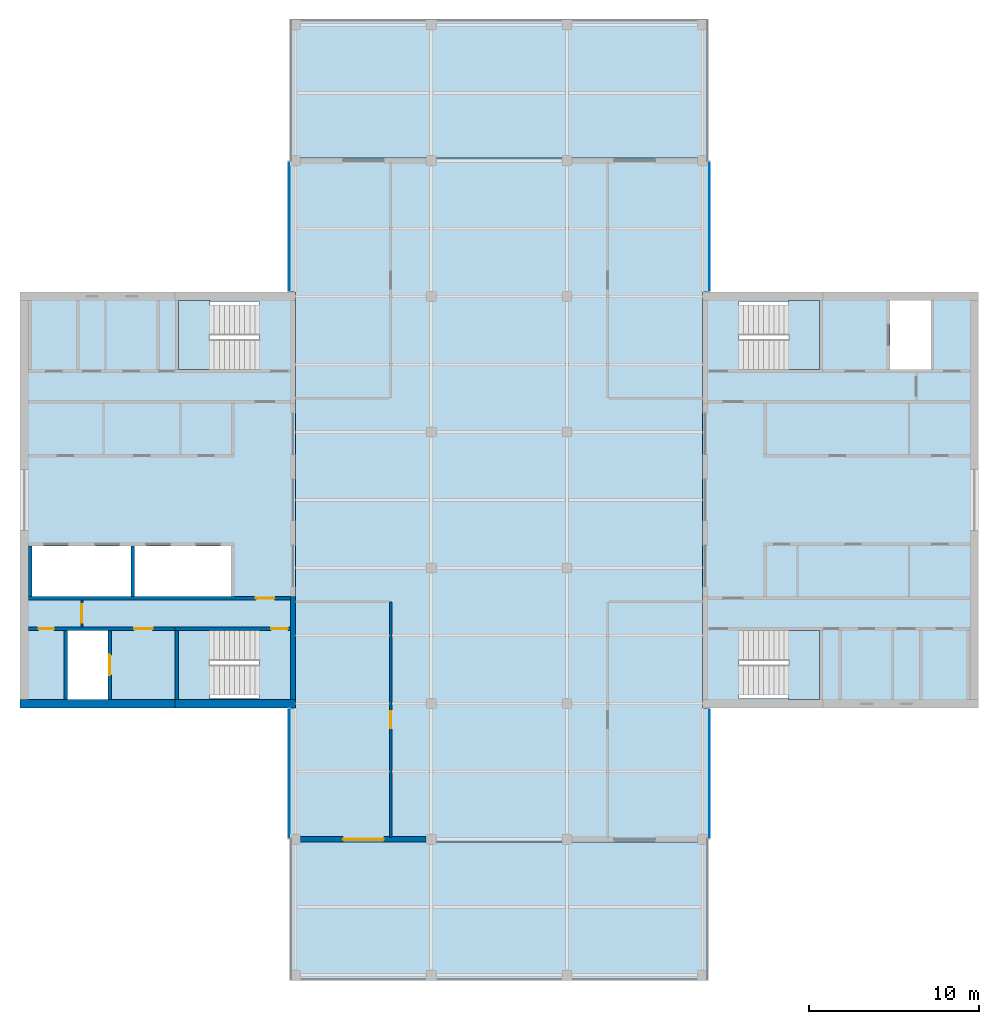
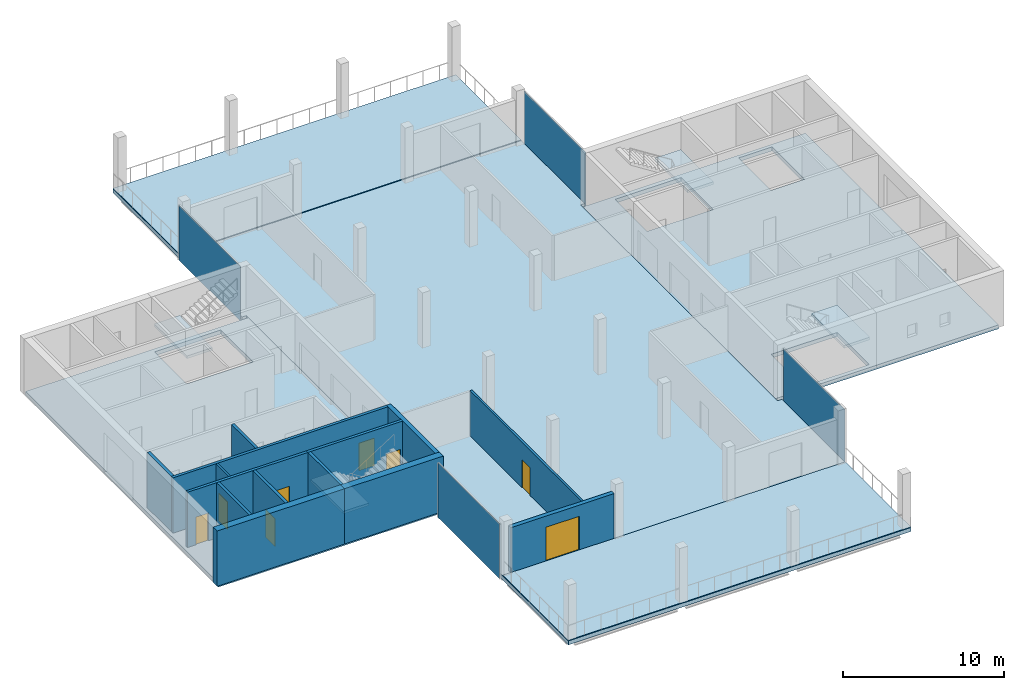
# One storey, part 7 of 12: 14 walls, 9 slabs, 8 doors, 4 plates, 8 openings, 8 elements without a shape of their own.
"""IFC4 building model written with IfcOpenShell, lengths in metres."""

from ifc_helpers import new_model, si_unit, direction, frame, frame_2d, origin, place, context, subcontext, project, spatial, polyline, rectangle, outline, extrude, material, layer, layer_set, constituent, constituent_set, type_object, element, fill, aggregate, save


model = new_model("IFC4")

# Units and contexts
model_context = context("Model", 3, precision=1e-05, world=origin(), true_north=direction((0.0, 1.0)))
body_context = subcontext(model_context, "Body", "Model", "MODEL_VIEW")
ifc_project = project(units=[si_unit("LENGTHUNIT", "METRE"), si_unit("AREAUNIT", "SQUARE_METRE"), si_unit("VOLUMEUNIT", "CUBIC_METRE"), si_unit("PLANEANGLEUNIT", "RADIAN"), si_unit("MASSUNIT", "GRAM", prefix="KILO")], contexts=[model_context])

# Site, building, storey
site_placement = place(None, origin())
site = spatial("IfcSite", under=ifc_project, at=site_placement, CompositionType="ELEMENT")
building_placement = place(site_placement, origin())
building = spatial("IfcBuilding", under=site, at=building_placement, Name="Crosswind Convention Tower", CompositionType="ELEMENT")
storey_placement = place(building_placement, frame((0.0, 0.0, 332.300048828125)))
storey = spatial("IfcBuildingStorey", under=building, at=storey_placement, Name="L72", CompositionType="ELEMENT", Elevation=332.300048828125)

# Slabs
ifc_material_1 = material(Name="Concrete C40/50", Category="concrete")
ifc_layer_1 = layer(ifc_material_1, 0.300048828125)
ifc_layer_set_1 = layer_set([ifc_layer_1], Name="Concrete C40/50")
slab_type_1 = type_object("IfcSlabType", Name="Composite floor slab 300", PredefinedType="FLOOR", material=ifc_layer_set_1)
slab_1_placement = place(storey_placement, frame((0.0, 0.0, -0.300048828125)))
element("IfcSlab", 1, at=slab_1_placement, inside=storey, type_object=slab_type_1, Name="Floor slab L72", PredefinedType="FLOOR", context=body_context, shape_type="SweptSolid", body=[
    extrude(outline(polyline([(137.300048828125, 71.699951171875), (137.0, 71.699951171875), (113.0, 71.699951171875), (112.699951171875, 71.699951171875), (112.699951171875, 72.0), (112.699951171875, 87.75), (113.0, 87.75), (113.0, 112.25), (112.699951171875, 112.25), (112.699951171875, 128.0), (112.699951171875, 128.300048828125), (113.0, 128.300048828125), (137.0, 128.300048828125), (137.300048828125, 128.300048828125), (137.300048828125, 128.0), (137.300048828125, 112.25), (137.0, 112.25), (137.0, 87.75), (137.300048828125, 87.75), (137.300048828125, 72.0), (137.300048828125, 71.699951171875)])), origin(), (0.0, 0.0, 1.0), 0.300048828125),
])
ifc_layer_2 = layer(ifc_material_1, 0.300048828125)
ifc_layer_set_2 = layer_set([ifc_layer_2], Name="Concrete C40/50")
slab_type_2 = type_object("IfcSlabType", Name="Concrete core floor slab 300", PredefinedType="FLOOR", material=ifc_layer_set_2)
slab_2_placement = place(storey_placement, frame((0.0, 0.0, -0.300048828125)))
element("IfcSlab", 2, at=slab_2_placement, inside=storey, type_object=slab_type_2, Name="Core floor slab E L72", PredefinedType="FLOOR", context=body_context, shape_type="SweptSolid", body=[
    extrude(outline(polyline([(137.0, 88.0), (153.0, 88.0), (153.0, 112.0), (137.0, 112.0), (137.0, 88.0)]), holes=[polyline([(150.449951171875, 107.699951171875), (150.449951171875, 111.75), (148.050048828125, 111.75), (148.050048828125, 107.699951171875), (150.449951171875, 107.699951171875)]), polyline([(143.89990234375, 107.699951171875), (143.89990234375, 111.699951171875), (139.14990234375, 111.699951171875), (139.14990234375, 107.699951171875), (143.89990234375, 107.699951171875)]), polyline([(143.89990234375, 88.300048828125), (143.89990234375, 92.300048828125), (139.14990234375, 92.300048828125), (139.14990234375, 88.300048828125), (143.89990234375, 88.300048828125)])]), origin(), (0.0, 0.0, 1.0), 0.300048828125),
])
slab_3_placement = place(storey_placement, frame((0.0, 0.0, -0.300048828125)))
element("IfcSlab", 3, at=slab_3_placement, inside=storey, type_object=slab_type_2, Name="Core floor slab W L72", PredefinedType="FLOOR", context=body_context, shape_type="SweptSolid", body=[
    extrude(outline(polyline([(97.0, 88.0), (113.0, 88.0), (113.0, 112.0), (97.0, 112.0), (97.0, 88.0)]), holes=[polyline([(109.199951171875, 94.300048828125), (109.199951171875, 97.300048828125), (103.5, 97.300048828125), (103.5, 94.300048828125), (109.199951171875, 94.300048828125)]), polyline([(103.300048828125, 94.300048828125), (103.300048828125, 97.300048828125), (97.449951171875, 97.300048828125), (97.449951171875, 94.300048828125), (103.300048828125, 94.300048828125)]), polyline([(101.949951171875, 88.25), (101.949951171875, 92.300048828125), (99.550048828125, 92.300048828125), (99.550048828125, 88.25), (101.949951171875, 88.25)]), polyline([(110.85009765625, 88.300048828125), (110.85009765625, 92.300048828125), (106.10009765625, 92.300048828125), (106.10009765625, 88.300048828125), (110.85009765625, 88.300048828125)]), polyline([(110.85009765625, 107.699951171875), (110.85009765625, 111.699951171875), (106.10009765625, 111.699951171875), (106.10009765625, 107.699951171875), (110.85009765625, 107.699951171875)])]), origin(), (0.0, 0.0, 1.0), 0.300048828125),
])
ifc_material_2 = material(Name="Porcelain paving on pedestals", Category="ceramic")
ifc_layer_3 = layer(ifc_material_2, 0.050048828125)
ifc_layer_set_3 = layer_set([ifc_layer_3], Name="SKY DECK PAVING 50")
slab_type_3 = type_object("IfcSlabType", Name="SKY DECK PAVING 50", PredefinedType="USERDEFINED", material=ifc_layer_set_3)
slab_4_placement = place(storey_placement, origin())
element("IfcSlab", 4, at=slab_4_placement, inside=storey, type_object=slab_type_3, Name="Sky deck L72 N", ObjectType="PAVING", PredefinedType="USERDEFINED", context=body_context, shape_type="SweptSolid", body=[
    extrude(outline(polyline([(112.699951171875, 128.0), (112.699951171875, 128.300048828125), (113.0, 128.300048828125), (137.0, 128.300048828125), (137.300048828125, 128.300048828125), (137.300048828125, 128.0), (137.300048828125, 120.14990234375), (112.699951171875, 120.14990234375), (112.699951171875, 128.0)])), origin(), (0.0, 0.0, 1.0), 0.050048828125),
])
slab_5_placement = place(storey_placement, origin())
element("IfcSlab", 5, at=slab_5_placement, inside=storey, type_object=slab_type_3, Name="Sky deck L72 S", ObjectType="PAVING", PredefinedType="USERDEFINED", context=body_context, shape_type="SweptSolid", body=[
    extrude(outline(polyline([(137.300048828125, 71.699951171875), (137.0, 71.699951171875), (113.0, 71.699951171875), (112.699951171875, 71.699951171875), (112.699951171875, 72.0), (112.699951171875, 79.85009765625), (137.300048828125, 79.85009765625), (137.300048828125, 72.0), (137.300048828125, 71.699951171875)])), origin(), (0.0, 0.0, 1.0), 0.050048828125),
])

# Stair, slab
stair_type = type_object("IfcStairType", Name="Exit stair 1800 wide, 2 flights of 11 risers", PredefinedType="HALF_TURN_STAIR", material=ifc_material_1)
stair_1_placement = place(storey_placement, origin())
stair_1 = element("IfcStair", 6, at=stair_1_placement, inside=storey, type_object=stair_type, Name="Exit stair ST1 L72", ObjectType="ST5", PredefinedType="HALF_TURN_STAIR")
ifc_layer_4 = layer(ifc_material_1, 0.199951171875)
ifc_layer_set_4 = layer_set([ifc_layer_4], Name="Concrete C40/50")
slab_type_4 = type_object("IfcSlabType", Name="Stair landing 200", PredefinedType="LANDING", material=ifc_layer_set_4)
slab_6_placement = place(storey_placement, frame((0.0, 0.0, 1.89990234375)))
slab_6 = element("IfcSlab", 7, at=slab_6_placement, type_object=slab_type_4, Name="ST1 landing 1", PredefinedType="LANDING", context=body_context, shape_type="SweptSolid", body=[
    extrude(outline(polyline([(143.89990234375, 107.699951171875), (143.89990234375, 111.75), (142.050048828125, 111.75), (142.050048828125, 107.699951171875), (143.89990234375, 107.699951171875)])), origin(), (0.0, 0.0, 1.0), 0.199951171875),
])
aggregate(stair_1, [slab_6])

stair_2_placement = place(storey_placement, origin())
stair_2 = element("IfcStair", 8, at=stair_2_placement, inside=storey, type_object=stair_type, Name="Exit stair ST2 L72", ObjectType="ST5", PredefinedType="HALF_TURN_STAIR")
slab_7_placement = place(storey_placement, frame((0.0, 0.0, 1.89990234375)))
slab_7 = element("IfcSlab", 9, at=slab_7_placement, type_object=slab_type_4, Name="ST2 landing 1", PredefinedType="LANDING", context=body_context, shape_type="SweptSolid", body=[
    extrude(outline(polyline([(143.89990234375, 88.25), (143.89990234375, 92.300048828125), (142.050048828125, 92.300048828125), (142.050048828125, 88.25), (143.89990234375, 88.25)])), origin(), (0.0, 0.0, 1.0), 0.199951171875),
])
aggregate(stair_2, [slab_7])

stair_3_placement = place(storey_placement, origin())
stair_3 = element("IfcStair", 10, at=stair_3_placement, inside=storey, type_object=stair_type, Name="Exit stair ST3 L72", ObjectType="ST5", PredefinedType="HALF_TURN_STAIR")
slab_8_placement = place(storey_placement, frame((0.0, 0.0, 1.89990234375)))
slab_8 = element("IfcSlab", 11, at=slab_8_placement, type_object=slab_type_4, Name="ST3 landing 1", PredefinedType="LANDING", context=body_context, shape_type="SweptSolid", body=[
    extrude(outline(polyline([(107.949951171875, 88.25), (107.949951171875, 92.300048828125), (106.10009765625, 92.300048828125), (106.10009765625, 88.25), (107.949951171875, 88.25)])), origin(), (0.0, 0.0, 1.0), 0.199951171875),
])
aggregate(stair_3, [slab_8])

stair_4_placement = place(storey_placement, origin())
stair_4 = element("IfcStair", 12, at=stair_4_placement, inside=storey, type_object=stair_type, Name="Exit stair ST4 L72", ObjectType="ST5", PredefinedType="HALF_TURN_STAIR")
slab_9_placement = place(storey_placement, frame((0.0, 0.0, 1.89990234375)))
slab_9 = element("IfcSlab", 13, at=slab_9_placement, type_object=slab_type_4, Name="ST4 landing 1", PredefinedType="LANDING", context=body_context, shape_type="SweptSolid", body=[
    extrude(outline(polyline([(107.949951171875, 107.699951171875), (107.949951171875, 111.75), (106.10009765625, 111.75), (106.10009765625, 107.699951171875), (107.949951171875, 107.699951171875)])), origin(), (0.0, 0.0, 1.0), 0.199951171875),
])
aggregate(stair_4, [slab_9])

# Curtain wall, plate
ifc_material_3 = material(Name="Aluminium unitised curtain wall", Category="aluminium")
curtain_wall_type = type_object("IfcCurtainWallType", Name="CORE END SLOT WALL 160", PredefinedType="USERDEFINED", material=ifc_material_3)
curtain_wall_1_placement = place(storey_placement, origin())
curtain_wall_1 = element("IfcCurtainWall", 14, at=curtain_wall_1_placement, inside=storey, type_object=curtain_wall_type, Name="CW6 L72 N-E.1-1 slot", ObjectType="UNITISED", PredefinedType="USERDEFINED")
ifc_material_4 = material(Name="Laminated insulating glass unit", Category="glass")
ifc_layer_5 = layer(ifc_material_4, 0.02587890625)
ifc_layer_set_5 = layer_set([ifc_layer_5], Name="TRIANGULAR GLASS PANEL 26")
plate_type = type_object("IfcPlateType", Name="TRIANGULAR GLASS PANEL 26", PredefinedType="CURTAIN_PANEL", material=ifc_layer_set_5)
plate_1_placement = place(storey_placement, frame((137.40673828125, 112.300048828125, -0.300048828125), z_axis=(0.999999937702, 0.0, 0.000352982682), x_axis=(0.0, 1.0, 0.0)))
plate_1 = element("IfcPlate", 15, at=plate_1_placement, type_object=plate_type, Name="CW6 panel 1.1", PredefinedType="CURTAIN_PANEL", context=body_context, shape_type="SweptSolid", body=[
    extrude(outline(polyline([(0.0, 0.0), (7.64990234375, 0.0), (7.64990234375, 4.149902602282246), (0.0, 4.149902602282246), (0.0, 0.0)])), origin(), (0.0, 0.0, -1.0), 0.02587890625),
])
aggregate(curtain_wall_1, [plate_1])

curtain_wall_2_placement = place(storey_placement, origin())
curtain_wall_2 = element("IfcCurtainWall", 16, at=curtain_wall_2_placement, inside=storey, type_object=curtain_wall_type, Name="CW6 L72 N-W.1-2 slot", ObjectType="UNITISED", PredefinedType="USERDEFINED")
plate_2_placement = place(storey_placement, frame((112.59326171875, 119.949951171875, -0.300048828125), z_axis=(-0.999999937702, 0.0, 0.000352982682), x_axis=(0.0, -1.0, 0.0)))
plate_2 = element("IfcPlate", 17, at=plate_2_placement, type_object=plate_type, Name="CW6 panel 1.1", PredefinedType="CURTAIN_PANEL", context=body_context, shape_type="SweptSolid", body=[
    extrude(outline(polyline([(0.0, 0.0), (7.64990234375, 0.0), (7.64990234375, 4.149902602282246), (0.0, 4.149902602282246), (0.0, 0.0)])), origin(), (0.0, 0.0, -1.0), 0.02587890625),
])
aggregate(curtain_wall_2, [plate_2])

curtain_wall_3_placement = place(storey_placement, origin())
curtain_wall_3 = element("IfcCurtainWall", 18, at=curtain_wall_3_placement, inside=storey, type_object=curtain_wall_type, Name="CW6 L72 S-W.1-1 slot", ObjectType="UNITISED", PredefinedType="USERDEFINED")
plate_3_placement = place(storey_placement, frame((112.59326171875, 87.699951171875, -0.300048828125), z_axis=(-0.999999937702, 0.0, 0.000352982682), x_axis=(0.0, -1.0, 0.0)))
plate_3 = element("IfcPlate", 19, at=plate_3_placement, type_object=plate_type, Name="CW6 panel 1.1", PredefinedType="CURTAIN_PANEL", context=body_context, shape_type="SweptSolid", body=[
    extrude(outline(polyline([(0.0, 0.0), (7.64990234375, 0.0), (7.64990234375, 4.149902602282246), (0.0, 4.149902602282246), (0.0, 0.0)])), origin(), (0.0, 0.0, -1.0), 0.02587890625),
])
aggregate(curtain_wall_3, [plate_3])

curtain_wall_4_placement = place(storey_placement, origin())
curtain_wall_4 = element("IfcCurtainWall", 20, at=curtain_wall_4_placement, inside=storey, type_object=curtain_wall_type, Name="CW6 L72 S-E.1-2 slot", ObjectType="UNITISED", PredefinedType="USERDEFINED")
plate_4_placement = place(storey_placement, frame((137.40673828125, 80.050048828125, -0.300048828125), z_axis=(0.999999937702, 0.0, 0.000352982682), x_axis=(0.0, 1.0, 0.0)))
plate_4 = element("IfcPlate", 21, at=plate_4_placement, type_object=plate_type, Name="CW6 panel 1.1", PredefinedType="CURTAIN_PANEL", context=body_context, shape_type="SweptSolid", body=[
    extrude(outline(polyline([(0.0, 0.0), (7.64990234375, 0.0), (7.64990234375, 4.149902602282246), (0.0, 4.149902602282246), (0.0, 0.0)])), origin(), (0.0, 0.0, -1.0), 0.02587890625),
])
aggregate(curtain_wall_4, [plate_4])

# Walls
ifc_material_5 = material(Name="Concrete C50/60", Category="concrete")
ifc_layer_6 = layer(ifc_material_5, 0.300048828125)
ifc_layer_set_6 = layer_set([ifc_layer_6], Name="Concrete C50/60")
wall_type_1 = type_object("IfcWallType", Name="Concrete inner core wall 300", PredefinedType="SHEAR", material=ifc_layer_set_6)
wall_1_placement = place(storey_placement, frame((112.85009765625, 94.300048828125, 0.0), z_axis=(0.0, 0.0, 1.0), x_axis=(0.0, -1.0, 0.0)))
element("IfcWall", 22, at=wall_1_placement, inside=storey, type_object=wall_type_1, Name="Wall EP W L72", PredefinedType="SHEAR", context=body_context, shape_type="SweptSolid", body=[
    extrude(rectangle(XDim=6.050048828125, YDim=0.300048828125, at=frame_2d((3.02490234375, 0.0))), origin(), (0.0, 0.0, 1.0), 4.199951171875),
])
ifc_layer_7 = layer(ifc_material_5, 0.199951171875)
ifc_layer_set_7 = layer_set([ifc_layer_7], Name="Concrete C50/60")
wall_type_2 = type_object("IfcWallType", Name="Concrete shaft and stair wall 200", PredefinedType="SHEAR", material=ifc_layer_set_7)
for number, where, z_axis, x_axis, name in (
    (23, (103.39990234375, 97.300048828125, 0.0), (0.0, 0.0, 1.0), (0.0, -1.0, 0.0), "Wall RPSEP W L72"),
    (24, (97.35009765625, 97.300048828125, 0.0), (0.0, 0.0, 1.0), (0.0, -1.0, 0.0), "Wall RPEAST W L72"),
):
    element("IfcWall", number, at=place(storey_placement, frame(where, z_axis=z_axis, x_axis=x_axis)), inside=storey, type_object=wall_type_2, Name=name, PredefinedType="SHEAR", context=body_context, shape_type="SweptSolid", body=[
        extrude(rectangle(XDim=3.0, YDim=0.199951171875, at=frame_2d((1.5, 0.0))), origin(), (0.0, 0.0, 1.0), 4.199951171875),
    ])

# Wall, opening, door
wall_2_placement = place(storey_placement, frame((112.699951171875, 94.199951171875, 0.0), z_axis=(0.0, 0.0, 1.0), x_axis=(-1.0, 0.0, 0.0)))
wall_2 = element("IfcWall", 25, at=wall_2_placement, inside=storey, type_object=wall_type_2, Name="Wall HP W L72", PredefinedType="SHEAR", context=body_context, shape_type="SweptSolid", body=[
    extrude(rectangle(XDim=15.449951171875, YDim=0.199951171875, at=frame_2d((7.72509765625, 0.0))), origin(), (0.0, 0.0, 1.0), 4.199951171875),
])
opening_1_placement = place(wall_2_placement, frame((0.949951171875, 0.0, 0.0)))
opening_1 = element("IfcOpeningElement", 26, at=opening_1_placement, cuts=wall_2, Name="Opening D104", PredefinedType="OPENING", context=body_context, shape_type="SweptSolid", body=[
    extrude(rectangle(XDim=1.10009765625, YDim=2.10009765625, at=frame_2d((0.550048828125, 1.050048828125))), frame((0.0, 0.10986328125, 0.0), z_axis=(0.0, -1.0, 0.0), x_axis=(1.0, 0.0, 0.0)), (0.0, 0.0, 1.0), 0.219970703125),
])
ifc_material_6 = material(Name="Steel fire door", Category="steel")
door_type_1 = type_object("IfcDoorType", Name="Fire-rated single door 1100x2100", OperationType="NOTDEFINED", PredefinedType="DOOR", material=ifc_material_6)
door_1_placement = place(opening_1_placement, origin())
door_1 = element("IfcDoor", 27, at=door_1_placement, inside=storey, type_object=door_type_1, Name="Corridor door L72", ObjectType="D104", OperationType="SINGLE_SWING_LEFT", OverallHeight=2.10009765625, OverallWidth=1.10009765625, PredefinedType="DOOR", context=body_context, shape_type="SweptSolid", body=[
    extrude(rectangle(XDim=1.10009765625, YDim=2.10009765625, at=frame_2d((0.550048828125, 1.050048828125))), frame((0.0, 0.02490234375, 0.0), z_axis=(0.0, -1.0, 0.0), x_axis=(1.0, 0.0, 0.0)), (0.0, 0.0, 1.0), 0.050048828125),
])
fill(opening_1, door_1)

# Wall
wall_3_placement = place(storey_placement, frame((106.0, 92.300048828125, 0.0), z_axis=(0.0, 0.0, 1.0), x_axis=(0.0, -1.0, 0.0)))
element("IfcWall", 28, at=wall_3_placement, inside=storey, type_object=wall_type_2, Name="Wall PSE W L72", PredefinedType="SHEAR", context=body_context, shape_type="SweptSolid", body=[
    extrude(rectangle(XDim=4.050048828125, YDim=0.199951171875, at=frame_2d((2.02490234375, 0.0))), origin(), (0.0, 0.0, 1.0), 4.199951171875),
])

# Wall, opening, door
wall_4_placement = place(storey_placement, frame((102.050048828125, 92.300048828125, 0.0), z_axis=(0.0, 0.0, 1.0), x_axis=(0.0, -1.0, 0.0)))
wall_4 = element("IfcWall", 29, at=wall_4_placement, inside=storey, type_object=wall_type_2, Name="Wall PFLW W L72", PredefinedType="SHEAR", context=body_context, shape_type="SweptSolid", body=[
    extrude(rectangle(XDim=4.050048828125, YDim=0.199951171875, at=frame_2d((2.02490234375, 0.0))), origin(), (0.0, 0.0, 1.0), 4.199951171875),
])
opening_2_placement = place(wall_4_placement, frame((1.425048828125, 0.0, 0.0)))
opening_2 = element("IfcOpeningElement", 30, at=opening_2_placement, cuts=wall_4, Name="Opening LD1", PredefinedType="OPENING", context=body_context, shape_type="SweptSolid", body=[
    extrude(rectangle(XDim=1.199951171875, YDim=2.10009765625, at=frame_2d((0.60009765625, 1.050048828125))), frame((0.0, 0.10986328125, 0.0), z_axis=(0.0, -1.0, 0.0), x_axis=(1.0, 0.0, 0.0)), (0.0, 0.0, 1.0), 0.219970703125),
])
ifc_material_7 = material(Name="Stainless steel", Category="steel")
door_type_2 = type_object("IfcDoorType", Name="Lift landing door 1200x2100", OperationType="DOUBLE_DOOR_SLIDING", PredefinedType="DOOR", material=ifc_material_7)
door_2_placement = place(opening_2_placement, origin())
door_2 = element("IfcDoor", 31, at=door_2_placement, inside=storey, type_object=door_type_2, Name="Landing door FF2 L72", ObjectType="LD1", OperationType="DOUBLE_DOOR_SLIDING", OverallHeight=2.10009765625, OverallWidth=1.199951171875, PredefinedType="DOOR", context=body_context, shape_type="SweptSolid", body=[
    extrude(rectangle(XDim=1.199951171875, YDim=2.10009765625, at=frame_2d((0.60009765625, 1.050048828125))), frame((0.0, 0.02490234375, 0.0), z_axis=(0.0, -1.0, 0.0), x_axis=(1.0, 0.0, 0.0)), (0.0, 0.0, 1.0), 0.050048828125),
])
fill(opening_2, door_2)

# Wall
wall_5_placement = place(storey_placement, frame((99.449951171875, 92.300048828125, 0.0), z_axis=(0.0, 0.0, 1.0), x_axis=(0.0, -1.0, 0.0)))
element("IfcWall", 32, at=wall_5_placement, inside=storey, type_object=wall_type_2, Name="Wall PFSE W L72", PredefinedType="SHEAR", context=body_context, shape_type="SweptSolid", body=[
    extrude(rectangle(XDim=4.050048828125, YDim=0.199951171875, at=frame_2d((2.02490234375, 0.0))), origin(), (0.0, 0.0, 1.0), 4.199951171875),
])

# Wall, opening, door
wall_6_placement = place(storey_placement, frame((112.699951171875, 92.39990234375, 0.0), z_axis=(0.0, 0.0, 1.0), x_axis=(-1.0, 0.0, 0.0)))
wall_6 = element("IfcWall", 33, at=wall_6_placement, inside=storey, type_object=wall_type_2, Name="Wall PCW W L72", PredefinedType="SHEAR", context=body_context, shape_type="SweptSolid", body=[
    extrude(rectangle(XDim=6.800048828125, YDim=0.199951171875, at=frame_2d((3.39990234375, 0.0))), origin(), (0.0, 0.0, 1.0), 4.199951171875),
])
opening_3_placement = place(wall_6_placement, frame((0.14990234375, 0.0, 0.0)))
opening_3 = element("IfcOpeningElement", 34, at=opening_3_placement, cuts=wall_6, Name="Opening D103", PredefinedType="OPENING", context=body_context, shape_type="SweptSolid", body=[
    extrude(rectangle(XDim=1.0, YDim=2.10009765625, at=frame_2d((0.5, 1.050048828125))), frame((0.0, 0.10986328125, 0.0), z_axis=(0.0, -1.0, 0.0), x_axis=(1.0, 0.0, 0.0)), (0.0, 0.0, 1.0), 0.219970703125),
])
door_type_3 = type_object("IfcDoorType", Name="Fire-rated single door 1000x2100", OperationType="NOTDEFINED", PredefinedType="DOOR", material=ifc_material_6)
door_3_placement = place(opening_3_placement, origin())
door_3 = element("IfcDoor", 35, at=door_3_placement, inside=storey, type_object=door_type_3, Name="Stair ST3 door L72", ObjectType="D103", OperationType="SINGLE_SWING_LEFT", OverallHeight=2.10009765625, OverallWidth=1.0, PredefinedType="DOOR", context=body_context, shape_type="SweptSolid", body=[
    extrude(rectangle(XDim=1.0, YDim=2.10009765625, at=frame_2d((0.5, 1.050048828125))), frame((0.0, 0.02490234375, 0.0), z_axis=(0.0, -1.0, 0.0), x_axis=(1.0, 0.0, 0.0)), (0.0, 0.0, 1.0), 0.050048828125),
])
fill(opening_3, door_3)

# Wall, openings, doors
wall_7_placement = place(storey_placement, frame((105.89990234375, 92.39990234375, 0.0), z_axis=(0.0, 0.0, 1.0), x_axis=(-1.0, 0.0, 0.0)))
wall_7 = element("IfcWall", 36, at=wall_7_placement, inside=storey, type_object=wall_type_2, Name="Wall PCX W L72", PredefinedType="SHEAR", context=body_context, shape_type="SweptSolid", body=[
    extrude(rectangle(XDim=8.64990234375, YDim=0.199951171875, at=frame_2d((4.324951171875, 0.0))), origin(), (0.0, 0.0, 1.0), 4.199951171875),
])
opening_4_placement = place(wall_7_placement, frame((1.324951171875, 0.0, 0.0)))
opening_4 = element("IfcOpeningElement", 37, at=opening_4_placement, cuts=wall_7, Name="Opening D104", PredefinedType="OPENING", context=body_context, shape_type="SweptSolid", body=[
    extrude(rectangle(XDim=1.10009765625, YDim=2.10009765625, at=frame_2d((0.550048828125, 1.050048828125))), frame((0.0, 0.10986328125, 0.0), z_axis=(0.0, -1.0, 0.0), x_axis=(1.0, 0.0, 0.0)), (0.0, 0.0, 1.0), 0.219970703125),
])
opening_5_placement = place(wall_7_placement, frame((7.14990234375, 0.0, 0.0)))
opening_5 = element("IfcOpeningElement", 38, at=opening_5_placement, cuts=wall_7, Name="Opening D106", PredefinedType="OPENING", context=body_context, shape_type="SweptSolid", body=[
    extrude(rectangle(XDim=0.89990234375, YDim=2.10009765625, at=frame_2d((0.449951171875, 1.050048828125))), frame((0.0, 0.10986328125, 0.0), z_axis=(0.0, -1.0, 0.0), x_axis=(1.0, 0.0, 0.0)), (0.0, 0.0, 1.0), 0.219970703125),
])
door_4_placement = place(opening_4_placement, origin())
door_4 = element("IfcDoor", 39, at=door_4_placement, inside=storey, type_object=door_type_1, Name="Fire-fighting lobby FF2 door L72", ObjectType="D104", OperationType="SINGLE_SWING_RIGHT", OverallHeight=2.10009765625, OverallWidth=1.10009765625, PredefinedType="DOOR", context=body_context, shape_type="SweptSolid", body=[
    extrude(rectangle(XDim=1.10009765625, YDim=2.10009765625, at=frame_2d((0.550048828125, 1.050048828125))), frame((0.0, 0.02490234375, 0.0), z_axis=(0.0, -1.0, 0.0), x_axis=(1.0, 0.0, 0.0)), (0.0, 0.0, 1.0), 0.050048828125),
])
fill(opening_4, door_4)
ifc_material_8 = material(Name="Timber door", Category="wood")
door_type_4 = type_object("IfcDoorType", Name="Single leaf door 900x2100", OperationType="NOTDEFINED", PredefinedType="DOOR", material=ifc_material_8)
door_5_placement = place(opening_5_placement, origin())
door_5 = element("IfcDoor", 40, at=door_5_placement, inside=storey, type_object=door_type_4, Name="Door to telecoms room L72", ObjectType="D106", OperationType="SINGLE_SWING_RIGHT", OverallHeight=2.10009765625, OverallWidth=0.89990234375, PredefinedType="DOOR", context=body_context, shape_type="SweptSolid", body=[
    extrude(rectangle(XDim=0.89990234375, YDim=2.10009765625, at=frame_2d((0.449951171875, 1.050048828125))), frame((0.0, 0.02490234375, 0.0), z_axis=(0.0, -1.0, 0.0), x_axis=(1.0, 0.0, 0.0)), (0.0, 0.0, 1.0), 0.050048828125),
])
fill(opening_5, door_5)

# Wall, opening, door
ifc_material_9 = material(Name="Gypsum plasterboard partition", Category="gypsum")
ifc_layer_8 = layer(ifc_material_9, 0.125)
ifc_layer_set_8 = layer_set([ifc_layer_8], Name="Drywall partition wall 125")
wall_type_3 = type_object("IfcWallType", Name="Drywall partition wall 125", PredefinedType="PARTITIONING", material=ifc_layer_set_8)
wall_8_placement = place(storey_placement, frame((100.39990234375, 94.10009765625, 0.0), z_axis=(0.0, 0.0, 1.0), x_axis=(0.0, -1.0, 0.0)))
wall_8 = element("IfcWall", 41, at=wall_8_placement, inside=storey, type_object=wall_type_3, Name="Wall PXC1 W L72", PredefinedType="PARTITIONING", context=body_context, shape_type="SweptSolid", body=[
    extrude(rectangle(XDim=1.60009765625, YDim=0.125, at=frame_2d((0.800048828125, 0.0))), origin(), (0.0, 0.0, 1.0), 4.199951171875),
])
opening_6_placement = place(wall_8_placement, frame((0.25, 0.0, 0.0)))
opening_6 = element("IfcOpeningElement", 42, at=opening_6_placement, cuts=wall_8, Name="Opening D104", PredefinedType="OPENING", context=body_context, shape_type="SweptSolid", body=[
    extrude(rectangle(XDim=1.10009765625, YDim=2.10009765625, at=frame_2d((0.550048828125, 1.050048828125))), frame((0.0, 0.072509765625, 0.0), z_axis=(0.0, -1.0, 0.0), x_axis=(1.0, 0.0, 0.0)), (0.0, 0.0, 1.0), 0.14501953125),
])
door_6_placement = place(opening_6_placement, origin())
door_6 = element("IfcDoor", 43, at=door_6_placement, inside=storey, type_object=door_type_1, Name="Corridor smoke door L72", ObjectType="D104", OperationType="SINGLE_SWING_RIGHT", OverallHeight=2.10009765625, OverallWidth=1.10009765625, PredefinedType="DOOR", context=body_context, shape_type="SweptSolid", body=[
    extrude(rectangle(XDim=1.10009765625, YDim=2.10009765625, at=frame_2d((0.550048828125, 1.050048828125))), frame((0.0, 0.02490234375, 0.0), z_axis=(0.0, -1.0, 0.0), x_axis=(1.0, 0.0, 0.0)), (0.0, 0.0, 1.0), 0.050048828125),
])
fill(opening_6, door_6)

ifc_material_10 = material(Name="Fire-board partition with mineral wool", Category="gypsum")
ifc_layer_9 = layer(ifc_material_10, 0.14990234375)
ifc_layer_set_9 = layer_set([ifc_layer_9], Name="TENANCY WALL 150 TWO-HOUR BOARD")
wall_type_4 = type_object("IfcWallType", Name="TENANCY WALL 150 TWO-HOUR BOARD", PredefinedType="PARTITIONING", material=ifc_layer_set_9)
wall_9_placement = place(storey_placement, frame((118.60009765625, 80.10009765625, 0.0), z_axis=(0.0, 0.0, 1.0), x_axis=(0.0, 1.0, 0.0)))
wall_9 = element("IfcWall", 44, at=wall_9_placement, inside=storey, type_object=wall_type_4, Name="Tenancy wall WT41", PredefinedType="PARTITIONING", context=body_context, shape_type="SweptSolid", body=[
    extrude(rectangle(XDim=13.89990234375, YDim=0.14990234375, at=frame_2d((6.949951171875, 0.0))), origin(), (0.0, 0.0, 1.0), 3.44287109375),
])
opening_7_placement = place(wall_9_placement, frame((6.449951171875, 0.0, 0.0)))
opening_7 = element("IfcOpeningElement", 45, at=opening_7_placement, cuts=wall_9, Name="Opening L72-53", PredefinedType="OPENING", context=body_context, shape_type="SweptSolid", body=[
    extrude(rectangle(XDim=1.0, YDim=2.10009765625, at=frame_2d((0.5, 1.050048828125))), frame((0.0, 0.0849609375, 0.0), z_axis=(0.0, -1.0, 0.0), x_axis=(1.0, 0.0, 0.0)), (0.0, 0.0, 1.0), 0.169921875),
])
ifc_material_11 = material(Name="Timber fire door", Category="wood")
door_type_5 = type_object("IfcDoorType", Name="TENANCY ENTRANCE DOOR 1000X2100 FD30S", OperationType="NOTDEFINED", PredefinedType="DOOR", material=ifc_material_11)
door_7_placement = place(opening_7_placement, origin())
door_7 = element("IfcDoor", 46, at=door_7_placement, inside=storey, type_object=door_type_5, Name="Door L72-53", ObjectType="D41", OperationType="SINGLE_SWING_RIGHT", OverallHeight=2.10009765625, OverallWidth=1.0, PredefinedType="DOOR", context=body_context, shape_type="SweptSolid", body=[
    extrude(rectangle(XDim=1.0, YDim=2.10009765625, at=frame_2d((0.5, 1.050048828125))), frame((0.0, 0.02490234375, 0.0), z_axis=(0.0, -1.0, 0.0), x_axis=(1.0, 0.0, 0.0)), (0.0, 0.0, 1.0), 0.050048828125),
])
fill(opening_7, door_7)

ifc_material_12 = material(Name="Terracotta rainscreen", Category="ceramic")
ifc_layer_10 = layer(ifc_material_12, 0.02001953125)
ifc_material_13 = material(Name="Mineral wool insulation", Category="insulation")
ifc_layer_11 = layer(ifc_material_13, 0.10009765625)
ifc_material_14 = material(Name="Concrete blockwork", Category="masonry")
ifc_layer_12 = layer(ifc_material_14, 0.179931640625)
ifc_layer_set_10 = layer_set([ifc_layer_10, ifc_layer_11, ifc_layer_12], Name="TERRACOTTA INFILL WALL 300")
wall_type_5 = type_object("IfcWallType", Name="TERRACOTTA INFILL WALL 300", PredefinedType="SOLIDWALL", material=ifc_layer_set_10)
wall_10_placement = place(storey_placement, frame((113.300048828125, 80.0, 0.0), z_axis=(0.0, 0.0, 1.0), x_axis=(1.0, 0.0, 0.0)))
wall_10 = element("IfcWall", 47, at=wall_10_placement, inside=storey, type_object=wall_type_5, Name="Portal front wall L72 S 1", PredefinedType="SOLIDWALL", context=body_context, shape_type="SweptSolid", body=[
    extrude(rectangle(XDim=7.39990234375, YDim=0.300048828125, at=frame_2d((3.699951171875, 0.0))), origin(), (0.0, 0.0, 1.0), 3.4462890625),
])
opening_8_placement = place(wall_10_placement, frame((2.5, 0.0, 0.0)))
opening_8 = element("IfcOpeningElement", 48, at=opening_8_placement, cuts=wall_10, Name="Opening D142", PredefinedType="OPENING", context=body_context, shape_type="SweptSolid", body=[
    extrude(rectangle(XDim=2.39990234375, YDim=2.60009765625, at=frame_2d((1.199951171875, 1.300048828125))), frame((0.0, 0.159912109375, 0.0), z_axis=(0.0, -1.0, 0.0), x_axis=(1.0, 0.0, 0.0)), (0.0, 0.0, 1.0), 0.320068359375),
])
ifc_material_15 = material(Name="Aluminium glazed door", Category="aluminium")
door_type_6 = type_object("IfcDoorType", Name="SKY DECK DOUBLE DOOR 2400X2600", OperationType="DOUBLE_DOOR_SINGLE_SWING", PredefinedType="DOOR", material=ifc_material_15)
door_8_placement = place(opening_8_placement, frame((2.39990234375, 0.0, 0.0), z_axis=(0.0, 0.0, 1.0), x_axis=(-1.0, 0.0, 0.0)))
door_8 = element("IfcDoor", 49, at=door_8_placement, inside=storey, type_object=door_type_6, Name="D142 sky deck door L72 S 1", ObjectType="D142", OperationType="DOUBLE_DOOR_SINGLE_SWING", OverallHeight=2.60009765625, OverallWidth=2.39990234375, PredefinedType="DOOR", context=body_context, shape_type="SweptSolid", body=[
    extrude(rectangle(XDim=2.39990234375, YDim=2.60009765625, at=frame_2d((1.199951171875, 1.300048828125))), frame((0.0, 0.02490234375, 0.0), z_axis=(0.0, -1.0, 0.0), x_axis=(1.0, 0.0, 0.0)), (0.0, 0.0, 1.0), 0.050048828125),
])
fill(opening_8, door_8)

# Walls
ifc_material_16 = material(Name="Concrete C60/75", Category="concrete")
ifc_constituent_1 = constituent(ifc_material_16, Name="Structure")
ifc_constituent_2 = constituent(ifc_material_12, Name="Facing")
ifc_constituent_set = constituent_set(constituents=[ifc_constituent_1, ifc_constituent_2], Name="Concrete C60/75, Terracotta rainscreen")
wall_type_6 = type_object("IfcWallType", Name="Terracotta rainscreen on concrete core wall 500", PredefinedType="SHEAR", material=ifc_constituent_set)
wall_11_placement = place(storey_placement, frame((113.0, 88.0, 0.0), z_axis=(0.0, 0.0, 1.0), x_axis=(-1.0, 0.0, 0.0)))
element("IfcWall", 50, at=wall_11_placement, inside=storey, type_object=wall_type_6, Name="Wall N1 W L72", PredefinedType="SHEAR", context=body_context, shape_type="SweptSolid", body=[
    extrude(rectangle(XDim=7.10009765625, YDim=0.5, at=frame_2d((3.550048828125, 0.0))), origin(), (0.0, 0.0, 1.0), 4.199951171875),
])
wall_12_placement = place(storey_placement, frame((105.89990234375, 88.0, 0.0), z_axis=(0.0, 0.0, 1.0), x_axis=(-1.0, 0.0, 0.0)))
element("IfcWall", 51, at=wall_12_placement, inside=storey, type_object=wall_type_6, Name="Wall N2 W L72", PredefinedType="SHEAR", context=body_context, shape_type="SweptSolid", body=[
    extrude(rectangle(XDim=9.14990234375, YDim=0.5, at=frame_2d((4.574951171875, 0.0))), origin(), (0.0, 0.0, 1.0), 4.199951171875),
])

save(model, "model.ifc")
